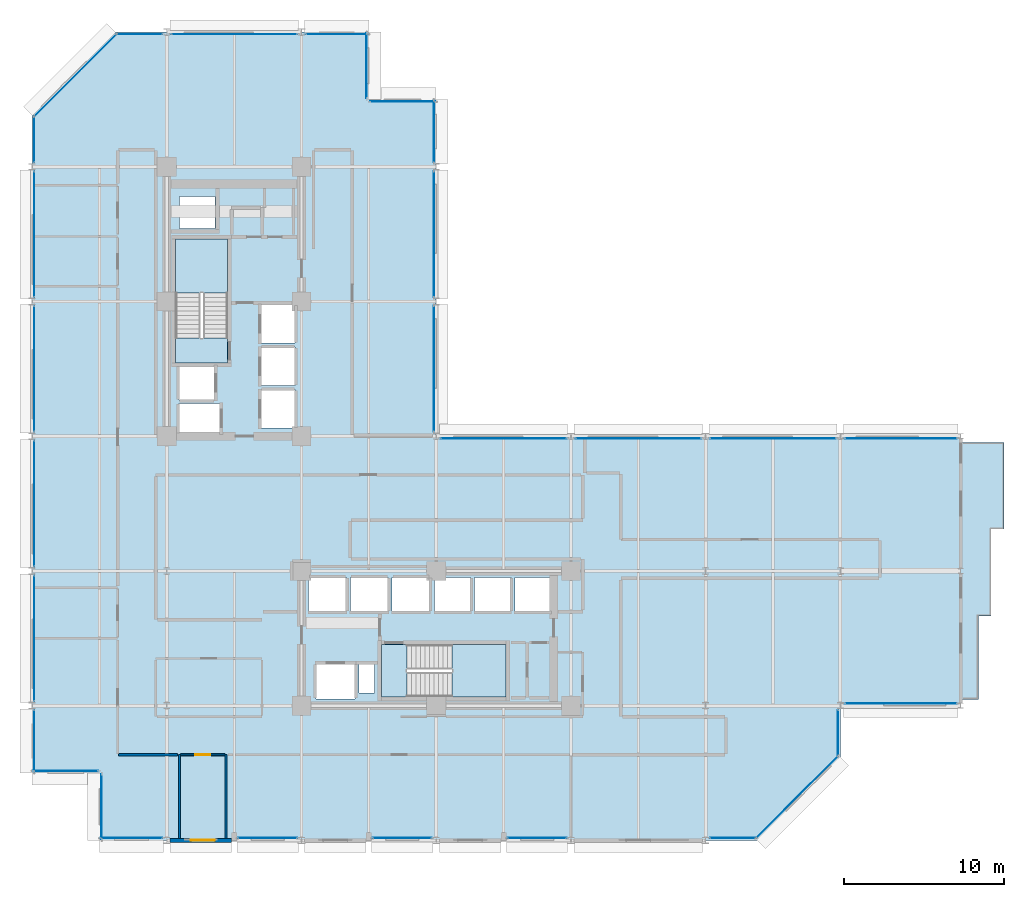
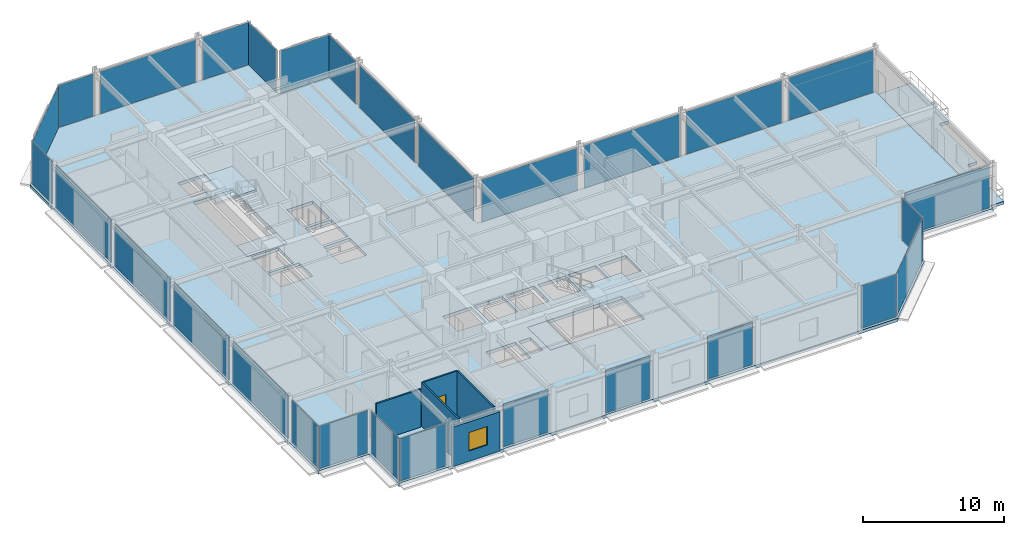
# One storey, part 31 of 39: 29 plates, 6 slabs, 5 walls, 1 door, 1 window, 2 openings, 31 elements without a shape of their own.
"""IFC4 building model written with IfcOpenShell, lengths in metres."""

from ifc_helpers import new_model, si_unit, direction, frame, frame_2d, origin, origin_2d, place, context, subcontext, project, spatial, polyline, rectangle, outline, extrude, material, layer, layer_set, type_object, element, fill, aggregate, save


model = new_model("IFC4")

# Units and contexts
model_context = context("Model", 3, precision=1e-05, world=origin(), true_north=direction((0.0, 1.0)))
body_context = subcontext(model_context, "Body", "Model", "MODEL_VIEW")
ifc_project = project(units=[si_unit("LENGTHUNIT", "METRE"), si_unit("AREAUNIT", "SQUARE_METRE"), si_unit("VOLUMEUNIT", "CUBIC_METRE"), si_unit("PLANEANGLEUNIT", "RADIAN"), si_unit("MASSUNIT", "GRAM", prefix="KILO")], contexts=[model_context])

# Site, building, storey
site_placement = place(None, origin())
site = spatial("IfcSite", under=ifc_project, at=site_placement, CompositionType="ELEMENT")
building_placement = place(site_placement, origin())
building = spatial("IfcBuilding", under=site, at=building_placement, Name="Nerrivon Quay Data Exchange", CompositionType="ELEMENT")
storey_placement = place(building_placement, frame((0.0, 0.0, 104.89990234375)))
storey = spatial("IfcBuildingStorey", under=building, at=storey_placement, Name="L24", CompositionType="ELEMENT", Elevation=104.89990234375)

# Curtain wall, plate
ifc_material_1 = material(Name="Anodised aluminium 6063-T6", Category="aluminium")
ifc_layer_1 = layer(ifc_material_1, 0.199951171875)
ifc_layer_set_1 = layer_set([ifc_layer_1], Name="Anodised aluminium 6063-T6")
curtain_wall_type_1 = type_object("IfcCurtainWallType", Name="CW-SYS-04", PredefinedType="NOTDEFINED", material=ifc_layer_set_1)
curtain_wall_1_placement = place(storey_placement, origin())
curtain_wall_1 = element("IfcCurtainWall", 1, at=curtain_wall_1_placement, inside=storey, type_object=curtain_wall_type_1, Name="L24 Unitised Curtain Wall 3", PredefinedType="NOTDEFINED")
ifc_material_2 = material(Name="Double-glazed low-E solar control glass", Category="glass")
ifc_layer_2 = layer(ifc_material_2, 0.028076171875)
ifc_layer_set_2 = layer_set([ifc_layer_2], Name="Double-glazed low-E solar control glass")
plate_type = type_object("IfcPlateType", Name="CWP-GLZ-28", PredefinedType="CURTAIN_PANEL", material=ifc_layer_set_2)
plate_1_placement = place(storey_placement, frame((54.17236328125, 8.5400390625, 0.06494140625), z_axis=(0.0, 0.0, 1.0), x_axis=(-1.0, 0.0, 0.0)))
plate_1 = element("IfcPlate", 2, at=plate_1_placement, type_object=plate_type, Name="CW04 panel 1.1", PredefinedType="CURTAIN_PANEL", context=body_context, shape_type="SweptSolid", body=[
    extrude(rectangle(XDim=6.994384765625, YDim=0.028076171875, at=origin_2d()), origin(), (0.0, 0.0, 1.0), 3.695068359375),
])
aggregate(curtain_wall_1, [plate_1])

ifc_layer_3 = layer(ifc_material_1, 0.2099609375)
ifc_layer_set_3 = layer_set([ifc_layer_3], Name="Anodised aluminium 6063-T6")
curtain_wall_type_2 = type_object("IfcCurtainWallType", Name="CW-SYS-02", PredefinedType="NOTDEFINED", material=ifc_layer_set_3)
curtain_wall_2_placement = place(storey_placement, origin())
curtain_wall_2 = element("IfcCurtainWall", 3, at=curtain_wall_2_placement, inside=storey, type_object=curtain_wall_type_2, Name="L24 Unitised Curtain Wall 4", PredefinedType="NOTDEFINED")
plate_2_placement = place(storey_placement, frame((50.260009765625, 6.699951171875, 0.06494140625), z_axis=(0.0, 0.0, 1.0), x_axis=(0.0, -1.0, 0.0)))
plate_2 = element("IfcPlate", 4, at=plate_2_placement, type_object=plate_type, Name="CW02 panel 1.1", PredefinedType="CURTAIN_PANEL", context=body_context, shape_type="SweptSolid", body=[
    extrude(rectangle(XDim=2.85009765625, YDim=0.028076171875, at=origin_2d()), origin(), (0.0, 0.0, 1.0), 3.695068359375),
])
aggregate(curtain_wall_2, [plate_2])

curtain_wall_3_placement = place(storey_placement, origin())
curtain_wall_3 = element("IfcCurtainWall", 5, at=curtain_wall_3_placement, inside=storey, type_object=curtain_wall_type_2, Name="L24 Unitised Curtain Wall 5", PredefinedType="NOTDEFINED")
plate_3_placement = place(storey_placement, frame((47.700927734375, 2.698974609375, 0.06494140625), z_axis=(0.0, 0.0, 1.0), x_axis=(-0.707106781187, -0.707106781187, 0.0)))
plate_3 = element("IfcPlate", 6, at=plate_3_placement, type_object=plate_type, Name="CW02 panel 1.1", PredefinedType="CURTAIN_PANEL", context=body_context, shape_type="SweptSolid", body=[
    extrude(rectangle(XDim=7.203857421875, YDim=0.028076171875, at=origin_2d()), origin(), (0.0, 0.0, 1.0), 3.695068359375),
])
aggregate(curtain_wall_3, [plate_3])

curtain_wall_4_placement = place(storey_placement, origin())
curtain_wall_4 = element("IfcCurtainWall", 7, at=curtain_wall_4_placement, inside=storey, type_object=curtain_wall_type_2, Name="L24 Unitised Curtain Wall 6", PredefinedType="NOTDEFINED")
plate_4_placement = place(storey_placement, frame((43.699951171875, 0.139892578125, 0.06494140625), z_axis=(0.0, 0.0, 1.0), x_axis=(-1.0, 0.0, 0.0)))
plate_4 = element("IfcPlate", 8, at=plate_4_placement, type_object=plate_type, Name="CW02 panel 1.1", PredefinedType="CURTAIN_PANEL", context=body_context, shape_type="SweptSolid", body=[
    extrude(rectangle(XDim=2.85009765625, YDim=0.028076171875, at=origin_2d()), origin(), (0.0, 0.0, 1.0), 3.695068359375),
])
aggregate(curtain_wall_4, [plate_4])

curtain_wall_5_placement = place(storey_placement, origin())
curtain_wall_5 = element("IfcCurtainWall", 9, at=curtain_wall_5_placement, inside=storey, type_object=curtain_wall_type_2, Name="L24 Unitised Curtain Wall 8", PredefinedType="NOTDEFINED")
plate_5_placement = place(storey_placement, frame((31.487548828125, 0.139892578125, 0.06494140625), z_axis=(0.0, 0.0, 1.0), x_axis=(-1.0, 0.0, 0.0)))
plate_5 = element("IfcPlate", 10, at=plate_5_placement, type_object=plate_type, Name="CW02 panel 1.1", PredefinedType="CURTAIN_PANEL", context=body_context, shape_type="SweptSolid", body=[
    extrude(rectangle(XDim=3.675048828125, YDim=0.028076171875, at=origin_2d()), origin(), (0.0, 0.0, 1.0), 3.695068359375),
])
aggregate(curtain_wall_5, [plate_5])

curtain_wall_6_placement = place(storey_placement, origin())
curtain_wall_6 = element("IfcCurtainWall", 11, at=curtain_wall_6_placement, inside=storey, type_object=curtain_wall_type_2, Name="L24 Unitised Curtain Wall 10", PredefinedType="NOTDEFINED")
plate_6_placement = place(storey_placement, frame((23.08740234375, 0.139892578125, 0.06494140625), z_axis=(0.0, 0.0, 1.0), x_axis=(-1.0, 0.0, 0.0)))
plate_6 = element("IfcPlate", 12, at=plate_6_placement, type_object=plate_type, Name="CW02 panel 1.1", PredefinedType="CURTAIN_PANEL", context=body_context, shape_type="SweptSolid", body=[
    extrude(rectangle(XDim=3.675048828125, YDim=0.028076171875, at=origin_2d()), origin(), (0.0, 0.0, 1.0), 3.695068359375),
])
aggregate(curtain_wall_6, [plate_6])

curtain_wall_7_placement = place(storey_placement, origin())
curtain_wall_7 = element("IfcCurtainWall", 13, at=curtain_wall_7_placement, inside=storey, type_object=curtain_wall_type_2, Name="L24 Unitised Curtain Wall 12", PredefinedType="NOTDEFINED")
plate_7_placement = place(storey_placement, frame((14.6875, 0.139892578125, 0.06494140625), z_axis=(0.0, 0.0, 1.0), x_axis=(-1.0, 0.0, 0.0)))
plate_7 = element("IfcPlate", 14, at=plate_7_placement, type_object=plate_type, Name="CW02 panel 1.1", PredefinedType="CURTAIN_PANEL", context=body_context, shape_type="SweptSolid", body=[
    extrude(rectangle(XDim=3.675048828125, YDim=0.028076171875, at=origin_2d()), origin(), (0.0, 0.0, 1.0), 3.695068359375),
])
aggregate(curtain_wall_7, [plate_7])

curtain_wall_8_placement = place(storey_placement, origin())
curtain_wall_8 = element("IfcCurtainWall", 15, at=curtain_wall_8_placement, inside=storey, type_object=curtain_wall_type_2, Name="L24 Unitised Curtain Wall 14", PredefinedType="NOTDEFINED")
plate_8_placement = place(storey_placement, frame((6.199951171875, 0.139892578125, 0.06494140625), z_axis=(0.0, 0.0, 1.0), x_axis=(-1.0, 0.0, 0.0)))
plate_8 = element("IfcPlate", 16, at=plate_8_placement, type_object=plate_type, Name="CW02 panel 1.1", PredefinedType="CURTAIN_PANEL", context=body_context, shape_type="SweptSolid", body=[
    extrude(rectangle(XDim=3.85009765625, YDim=0.028076171875, at=origin_2d()), origin(), (0.0, 0.0, 1.0), 3.695068359375),
])
aggregate(curtain_wall_8, [plate_8])

curtain_wall_9_placement = place(storey_placement, origin())
curtain_wall_9 = element("IfcCurtainWall", 17, at=curtain_wall_9_placement, inside=storey, type_object=curtain_wall_type_2, Name="L24 Unitised Curtain Wall 15", PredefinedType="NOTDEFINED")
plate_9_placement = place(storey_placement, frame((4.340087890625, 2.10009765625, 0.06494140625), z_axis=(0.0, 0.0, 1.0), x_axis=(0.0, 1.0, 0.0)))
plate_9 = element("IfcPlate", 18, at=plate_9_placement, type_object=plate_type, Name="CW02 panel 1.1", PredefinedType="CURTAIN_PANEL", context=body_context, shape_type="SweptSolid", body=[
    extrude(rectangle(XDim=4.050048828125, YDim=0.028076171875, at=origin_2d()), origin(), (0.0, 0.0, 1.0), 3.695068359375),
])
aggregate(curtain_wall_9, [plate_9])

curtain_wall_10_placement = place(storey_placement, origin())
curtain_wall_10 = element("IfcCurtainWall", 19, at=curtain_wall_10_placement, inside=storey, type_object=curtain_wall_type_2, Name="L24 Unitised Curtain Wall 16", PredefinedType="NOTDEFINED")
plate_10_placement = place(storey_placement, frame((2.10009765625, 4.340087890625, 0.06494140625), z_axis=(0.0, 0.0, 1.0), x_axis=(-1.0, 0.0, 0.0)))
plate_10 = element("IfcPlate", 20, at=plate_10_placement, type_object=plate_type, Name="CW02 panel 1.1", PredefinedType="CURTAIN_PANEL", context=body_context, shape_type="SweptSolid", body=[
    extrude(rectangle(XDim=4.050048828125, YDim=0.028076171875, at=origin_2d()), origin(), (0.0, 0.0, 1.0), 3.695068359375),
])
aggregate(curtain_wall_10, [plate_10])

curtain_wall_11_placement = place(storey_placement, origin())
curtain_wall_11 = element("IfcCurtainWall", 21, at=curtain_wall_11_placement, inside=storey, type_object=curtain_wall_type_2, Name="L24 Unitised Curtain Wall 17", PredefinedType="NOTDEFINED")
plate_11_placement = place(storey_placement, frame((0.139892578125, 6.199951171875, 0.06494140625), z_axis=(0.0, 0.0, 1.0), x_axis=(0.0, 1.0, 0.0)))
plate_11 = element("IfcPlate", 22, at=plate_11_placement, type_object=plate_type, Name="CW02 panel 1.1", PredefinedType="CURTAIN_PANEL", context=body_context, shape_type="SweptSolid", body=[
    extrude(rectangle(XDim=3.85009765625, YDim=0.028076171875, at=origin_2d()), origin(), (0.0, 0.0, 1.0), 3.695068359375),
])
aggregate(curtain_wall_11, [plate_11])

curtain_wall_12_placement = place(storey_placement, origin())
curtain_wall_12 = element("IfcCurtainWall", 23, at=curtain_wall_12_placement, inside=storey, type_object=curtain_wall_type_2, Name="L24 Unitised Curtain Wall 18", PredefinedType="NOTDEFINED")
plate_12_placement = place(storey_placement, frame((0.139892578125, 12.60009765625, 0.06494140625), z_axis=(0.0, 0.0, 1.0), x_axis=(0.0, 1.0, 0.0)))
plate_12 = element("IfcPlate", 24, at=plate_12_placement, type_object=plate_type, Name="CW02 panel 1.1", PredefinedType="CURTAIN_PANEL", context=body_context, shape_type="SweptSolid", body=[
    extrude(rectangle(XDim=7.85009765625, YDim=0.028076171875, at=origin_2d()), origin(), (0.0, 0.0, 1.0), 3.695068359375),
])
aggregate(curtain_wall_12, [plate_12])

curtain_wall_13_placement = place(storey_placement, origin())
curtain_wall_13 = element("IfcCurtainWall", 25, at=curtain_wall_13_placement, inside=storey, type_object=curtain_wall_type_2, Name="L24 Unitised Curtain Wall 19", PredefinedType="NOTDEFINED")
plate_13_placement = place(storey_placement, frame((0.139892578125, 21.0, 0.06494140625), z_axis=(0.0, 0.0, 1.0), x_axis=(0.0, 1.0, 0.0)))
plate_13 = element("IfcPlate", 26, at=plate_13_placement, type_object=plate_type, Name="CW02 panel 1.1", PredefinedType="CURTAIN_PANEL", context=body_context, shape_type="SweptSolid", body=[
    extrude(rectangle(XDim=7.85009765625, YDim=0.028076171875, at=origin_2d()), origin(), (0.0, 0.0, 1.0), 3.695068359375),
])
aggregate(curtain_wall_13, [plate_13])

curtain_wall_14_placement = place(storey_placement, origin())
curtain_wall_14 = element("IfcCurtainWall", 27, at=curtain_wall_14_placement, inside=storey, type_object=curtain_wall_type_2, Name="L24 Unitised Curtain Wall 20", PredefinedType="NOTDEFINED")
plate_14_placement = place(storey_placement, frame((0.139892578125, 29.39990234375, 0.06494140625), z_axis=(0.0, 0.0, 1.0), x_axis=(0.0, 1.0, 0.0)))
plate_14 = element("IfcPlate", 28, at=plate_14_placement, type_object=plate_type, Name="CW02 panel 1.1", PredefinedType="CURTAIN_PANEL", context=body_context, shape_type="SweptSolid", body=[
    extrude(rectangle(XDim=7.85009765625, YDim=0.028076171875, at=origin_2d()), origin(), (0.0, 0.0, 1.0), 3.695068359375),
])
aggregate(curtain_wall_14, [plate_14])

curtain_wall_15_placement = place(storey_placement, origin())
curtain_wall_15 = element("IfcCurtainWall", 29, at=curtain_wall_15_placement, inside=storey, type_object=curtain_wall_type_2, Name="L24 Unitised Curtain Wall 21", PredefinedType="NOTDEFINED")
plate_15_placement = place(storey_placement, frame((0.139892578125, 37.800048828125, 0.06494140625), z_axis=(0.0, 0.0, 1.0), x_axis=(0.0, 1.0, 0.0)))
plate_15 = element("IfcPlate", 30, at=plate_15_placement, type_object=plate_type, Name="CW02 panel 1.1", PredefinedType="CURTAIN_PANEL", context=body_context, shape_type="SweptSolid", body=[
    extrude(rectangle(XDim=7.85009765625, YDim=0.028076171875, at=origin_2d()), origin(), (0.0, 0.0, 1.0), 3.695068359375),
])
aggregate(curtain_wall_15, [plate_15])

curtain_wall_16_placement = place(storey_placement, origin())
curtain_wall_16 = element("IfcCurtainWall", 31, at=curtain_wall_16_placement, inside=storey, type_object=curtain_wall_type_2, Name="L24 Unitised Curtain Wall 22", PredefinedType="NOTDEFINED")
plate_16_placement = place(storey_placement, frame((0.139892578125, 43.699951171875, 0.06494140625), z_axis=(0.0, 0.0, 1.0), x_axis=(0.0, 1.0, 0.0)))
plate_16 = element("IfcPlate", 32, at=plate_16_placement, type_object=plate_type, Name="CW02 panel 1.1", PredefinedType="CURTAIN_PANEL", context=body_context, shape_type="SweptSolid", body=[
    extrude(rectangle(XDim=2.85009765625, YDim=0.028076171875, at=origin_2d()), origin(), (0.0, 0.0, 1.0), 3.695068359375),
])
aggregate(curtain_wall_16, [plate_16])

curtain_wall_17_placement = place(storey_placement, origin())
curtain_wall_17 = element("IfcCurtainWall", 33, at=curtain_wall_17_placement, inside=storey, type_object=curtain_wall_type_2, Name="L24 Unitised Curtain Wall 23", PredefinedType="NOTDEFINED")
plate_17_placement = place(storey_placement, frame((2.698974609375, 47.700927734375, 0.06494140625), z_axis=(0.0, 0.0, 1.0), x_axis=(0.707106781187, 0.707106781187, 0.0)))
plate_17 = element("IfcPlate", 34, at=plate_17_placement, type_object=plate_type, Name="CW02 panel 1.1", PredefinedType="CURTAIN_PANEL", context=body_context, shape_type="SweptSolid", body=[
    extrude(rectangle(XDim=7.203857421875, YDim=0.028076171875, at=origin_2d()), origin(), (0.0, 0.0, 1.0), 3.695068359375),
])
aggregate(curtain_wall_17, [plate_17])

curtain_wall_18_placement = place(storey_placement, origin())
curtain_wall_18 = element("IfcCurtainWall", 35, at=curtain_wall_18_placement, inside=storey, type_object=curtain_wall_type_2, Name="L24 Unitised Curtain Wall 24", PredefinedType="NOTDEFINED")
plate_18_placement = place(storey_placement, frame((6.699951171875, 50.260009765625, 0.06494140625), z_axis=(0.0, 0.0, 1.0), x_axis=(1.0, 0.0, 0.0)))
plate_18 = element("IfcPlate", 36, at=plate_18_placement, type_object=plate_type, Name="CW02 panel 1.1", PredefinedType="CURTAIN_PANEL", context=body_context, shape_type="SweptSolid", body=[
    extrude(rectangle(XDim=2.85009765625, YDim=0.028076171875, at=origin_2d()), origin(), (0.0, 0.0, 1.0), 3.695068359375),
])
aggregate(curtain_wall_18, [plate_18])

curtain_wall_19_placement = place(storey_placement, origin())
curtain_wall_19 = element("IfcCurtainWall", 37, at=curtain_wall_19_placement, inside=storey, type_object=curtain_wall_type_2, Name="L24 Unitised Curtain Wall 25", PredefinedType="NOTDEFINED")
plate_19_placement = place(storey_placement, frame((12.60009765625, 50.260009765625, 0.06494140625), z_axis=(0.0, 0.0, 1.0), x_axis=(1.0, 0.0, 0.0)))
plate_19 = element("IfcPlate", 38, at=plate_19_placement, type_object=plate_type, Name="CW02 panel 1.1", PredefinedType="CURTAIN_PANEL", context=body_context, shape_type="SweptSolid", body=[
    extrude(rectangle(XDim=7.85009765625, YDim=0.028076171875, at=origin_2d()), origin(), (0.0, 0.0, 1.0), 3.695068359375),
])
aggregate(curtain_wall_19, [plate_19])

curtain_wall_20_placement = place(storey_placement, origin())
curtain_wall_20 = element("IfcCurtainWall", 39, at=curtain_wall_20_placement, inside=storey, type_object=curtain_wall_type_2, Name="L24 Unitised Curtain Wall 26", PredefinedType="NOTDEFINED")
plate_20_placement = place(storey_placement, frame((19.0, 50.260009765625, 0.06494140625), z_axis=(0.0, 0.0, 1.0), x_axis=(1.0, 0.0, 0.0)))
plate_20 = element("IfcPlate", 40, at=plate_20_placement, type_object=plate_type, Name="CW02 panel 1.1", PredefinedType="CURTAIN_PANEL", context=body_context, shape_type="SweptSolid", body=[
    extrude(rectangle(XDim=3.85009765625, YDim=0.028076171875, at=origin_2d()), origin(), (0.0, 0.0, 1.0), 3.695068359375),
])
aggregate(curtain_wall_20, [plate_20])

curtain_wall_21_placement = place(storey_placement, origin())
curtain_wall_21 = element("IfcCurtainWall", 41, at=curtain_wall_21_placement, inside=storey, type_object=curtain_wall_type_2, Name="L24 Unitised Curtain Wall 27", PredefinedType="NOTDEFINED")
plate_21_placement = place(storey_placement, frame((20.860107421875, 48.300048828125, 0.06494140625), z_axis=(0.0, 0.0, 1.0), x_axis=(0.0, -1.0, 0.0)))
plate_21 = element("IfcPlate", 42, at=plate_21_placement, type_object=plate_type, Name="CW02 panel 1.1", PredefinedType="CURTAIN_PANEL", context=body_context, shape_type="SweptSolid", body=[
    extrude(rectangle(XDim=4.050048828125, YDim=0.028076171875, at=origin_2d()), origin(), (0.0, 0.0, 1.0), 3.695068359375),
])
aggregate(curtain_wall_21, [plate_21])

curtain_wall_22_placement = place(storey_placement, origin())
curtain_wall_22 = element("IfcCurtainWall", 43, at=curtain_wall_22_placement, inside=storey, type_object=curtain_wall_type_2, Name="L24 Unitised Curtain Wall 28", PredefinedType="NOTDEFINED")
plate_22_placement = place(storey_placement, frame((23.10009765625, 46.06005859375, 0.06494140625), z_axis=(0.0, 0.0, 1.0), x_axis=(1.0, 0.0, 0.0)))
plate_22 = element("IfcPlate", 44, at=plate_22_placement, type_object=plate_type, Name="CW02 panel 1.1", PredefinedType="CURTAIN_PANEL", context=body_context, shape_type="SweptSolid", body=[
    extrude(rectangle(XDim=4.050048828125, YDim=0.028076171875, at=origin_2d()), origin(), (0.0, 0.0, 1.0), 3.695068359375),
])
aggregate(curtain_wall_22, [plate_22])

curtain_wall_23_placement = place(storey_placement, origin())
curtain_wall_23 = element("IfcCurtainWall", 45, at=curtain_wall_23_placement, inside=storey, type_object=curtain_wall_type_2, Name="L24 Unitised Curtain Wall 29", PredefinedType="NOTDEFINED")
plate_23_placement = place(storey_placement, frame((25.06005859375, 44.199951171875, 0.06494140625), z_axis=(0.0, 0.0, 1.0), x_axis=(0.0, -1.0, 0.0)))
plate_23 = element("IfcPlate", 46, at=plate_23_placement, type_object=plate_type, Name="CW02 panel 1.1", PredefinedType="CURTAIN_PANEL", context=body_context, shape_type="SweptSolid", body=[
    extrude(rectangle(XDim=3.85009765625, YDim=0.028076171875, at=origin_2d()), origin(), (0.0, 0.0, 1.0), 3.695068359375),
])
aggregate(curtain_wall_23, [plate_23])

curtain_wall_24_placement = place(storey_placement, origin())
curtain_wall_24 = element("IfcCurtainWall", 47, at=curtain_wall_24_placement, inside=storey, type_object=curtain_wall_type_2, Name="L24 Unitised Curtain Wall 30", PredefinedType="NOTDEFINED")
plate_24_placement = place(storey_placement, frame((25.06005859375, 37.800048828125, 0.06494140625), z_axis=(0.0, 0.0, 1.0), x_axis=(0.0, -1.0, 0.0)))
plate_24 = element("IfcPlate", 48, at=plate_24_placement, type_object=plate_type, Name="CW02 panel 1.1", PredefinedType="CURTAIN_PANEL", context=body_context, shape_type="SweptSolid", body=[
    extrude(rectangle(XDim=7.85009765625, YDim=0.028076171875, at=origin_2d()), origin(), (0.0, 0.0, 1.0), 3.695068359375),
])
aggregate(curtain_wall_24, [plate_24])

curtain_wall_25_placement = place(storey_placement, origin())
curtain_wall_25 = element("IfcCurtainWall", 49, at=curtain_wall_25_placement, inside=storey, type_object=curtain_wall_type_2, Name="L24 Unitised Curtain Wall 31", PredefinedType="NOTDEFINED")
plate_25_placement = place(storey_placement, frame((25.06005859375, 29.39990234375, 0.06494140625), z_axis=(0.0, 0.0, 1.0), x_axis=(0.0, -1.0, 0.0)))
plate_25 = element("IfcPlate", 50, at=plate_25_placement, type_object=plate_type, Name="CW02 panel 1.1", PredefinedType="CURTAIN_PANEL", context=body_context, shape_type="SweptSolid", body=[
    extrude(rectangle(XDim=7.85009765625, YDim=0.028076171875, at=origin_2d()), origin(), (0.0, 0.0, 1.0), 3.695068359375),
])
aggregate(curtain_wall_25, [plate_25])

curtain_wall_26_placement = place(storey_placement, origin())
curtain_wall_26 = element("IfcCurtainWall", 51, at=curtain_wall_26_placement, inside=storey, type_object=curtain_wall_type_2, Name="L24 Unitised Curtain Wall 32", PredefinedType="NOTDEFINED")
plate_26_placement = place(storey_placement, frame((29.39990234375, 25.06005859375, 0.06494140625), z_axis=(0.0, 0.0, 1.0), x_axis=(1.0, 0.0, 0.0)))
plate_26 = element("IfcPlate", 52, at=plate_26_placement, type_object=plate_type, Name="CW02 panel 1.1", PredefinedType="CURTAIN_PANEL", context=body_context, shape_type="SweptSolid", body=[
    extrude(rectangle(XDim=7.85009765625, YDim=0.028076171875, at=origin_2d()), origin(), (0.0, 0.0, 1.0), 3.695068359375),
])
aggregate(curtain_wall_26, [plate_26])

curtain_wall_27_placement = place(storey_placement, origin())
curtain_wall_27 = element("IfcCurtainWall", 53, at=curtain_wall_27_placement, inside=storey, type_object=curtain_wall_type_2, Name="L24 Unitised Curtain Wall 33", PredefinedType="NOTDEFINED")
plate_27_placement = place(storey_placement, frame((37.800048828125, 25.06005859375, 0.06494140625), z_axis=(0.0, 0.0, 1.0), x_axis=(1.0, 0.0, 0.0)))
plate_27 = element("IfcPlate", 54, at=plate_27_placement, type_object=plate_type, Name="CW02 panel 1.1", PredefinedType="CURTAIN_PANEL", context=body_context, shape_type="SweptSolid", body=[
    extrude(rectangle(XDim=7.85009765625, YDim=0.028076171875, at=origin_2d()), origin(), (0.0, 0.0, 1.0), 3.695068359375),
])
aggregate(curtain_wall_27, [plate_27])

curtain_wall_28_placement = place(storey_placement, origin())
curtain_wall_28 = element("IfcCurtainWall", 55, at=curtain_wall_28_placement, inside=storey, type_object=curtain_wall_type_2, Name="L24 Unitised Curtain Wall 34", PredefinedType="NOTDEFINED")
plate_28_placement = place(storey_placement, frame((46.199951171875, 25.06005859375, 0.06494140625), z_axis=(0.0, 0.0, 1.0), x_axis=(1.0, 0.0, 0.0)))
plate_28 = element("IfcPlate", 56, at=plate_28_placement, type_object=plate_type, Name="CW02 panel 1.1", PredefinedType="CURTAIN_PANEL", context=body_context, shape_type="SweptSolid", body=[
    extrude(rectangle(XDim=7.85009765625, YDim=0.028076171875, at=origin_2d()), origin(), (0.0, 0.0, 1.0), 3.695068359375),
])
aggregate(curtain_wall_28, [plate_28])

curtain_wall_29_placement = place(storey_placement, origin())
curtain_wall_29 = element("IfcCurtainWall", 57, at=curtain_wall_29_placement, inside=storey, type_object=curtain_wall_type_1, Name="L24 Unitised Curtain Wall 35", PredefinedType="NOTDEFINED")
plate_29_placement = place(storey_placement, frame((54.17236328125, 25.06005859375, 0.06494140625), z_axis=(0.0, 0.0, 1.0), x_axis=(1.0, 0.0, 0.0)))
plate_29 = element("IfcPlate", 58, at=plate_29_placement, type_object=plate_type, Name="CW04 panel 1.1", PredefinedType="CURTAIN_PANEL", context=body_context, shape_type="SweptSolid", body=[
    extrude(rectangle(XDim=6.994384765625, YDim=0.028076171875, at=origin_2d()), origin(), (0.0, 0.0, 1.0), 3.695068359375),
])
aggregate(curtain_wall_29, [plate_29])

# Slab
ifc_material_3 = material(Name="Precast white architectural concrete N50 (50 MPa)", Category="concrete")
ifc_layer_4 = layer(ifc_material_3, 0.25)
ifc_layer_set_4 = layer_set([ifc_layer_4], Name="Precast white architectural concrete N50 (50 MPa)")
slab_type_1 = type_object("IfcSlabType", Name="SLB-BAL-250", PredefinedType="FLOOR", material=ifc_layer_set_4)
slab_1_placement = place(storey_placement, frame((0.0, 0.0, -0.25)))
element("IfcSlab", 59, at=slab_1_placement, inside=storey, type_object=slab_type_1, Name="L24 East Hooked Drifting Verandah", PredefinedType="FLOOR", context=body_context, shape_type="SweptSolid", body=[
    extrude(outline(polyline([(59.0, 14.0), (59.800048828125, 14.0), (59.800048828125, 19.39990234375), (60.60009765625, 19.39990234375), (60.60009765625, 24.800048828125), (57.89990234375, 24.800048828125), (57.89990234375, 19.39990234375), (57.89990234375, 14.0), (57.89990234375, 8.800048828125), (59.0, 8.800048828125), (59.0, 14.0)])), origin(), (0.0, 0.0, 1.0), 0.25),
])

# Stair, slab
ifc_material_4 = material(Name="Concrete N50 (50 MPa)", Category="concrete")
stair_type = type_object("IfcStairType", Name="STAIR-DOG-41", PredefinedType="HALF_TURN_STAIR", material=ifc_material_4)
stair_1_placement = place(storey_placement, origin())
stair_1 = element("IfcStair", 60, at=stair_1_placement, inside=storey, type_object=stair_type, Name="L24 West Core Fire Stair ST01", PredefinedType="HALF_TURN_STAIR")
ifc_layer_5 = layer(ifc_material_4, 0.199951171875)
ifc_layer_set_5 = layer_set([ifc_layer_5], Name="Concrete N50 (50 MPa)")
slab_type_2 = type_object("IfcSlabType", Name="SLB-LAND-200", PredefinedType="LANDING", material=ifc_layer_set_5)
slab_2_placement = place(storey_placement, frame((0.0, 0.0, 1.85009765625)))
slab_2 = element("IfcSlab", 61, at=slab_2_placement, type_object=slab_type_2, Name="ST01 landing 1", PredefinedType="LANDING", context=body_context, shape_type="SweptSolid", body=[
    extrude(outline(polyline([(12.199951171875, 34.1298828125), (12.199951171875, 37.5), (8.949951171875, 37.5), (8.949951171875, 34.1298828125), (12.199951171875, 34.1298828125)])), origin(), (0.0, 0.0, 1.0), 0.199951171875),
])
aggregate(stair_1, [slab_2])

# Slab
slab_3_placement = place(storey_placement, frame((0.0, 0.0, -0.199951171875)))
element("IfcSlab", 62, at=slab_3_placement, inside=storey, type_object=slab_type_2, Name="L24 ST01 floor landing", PredefinedType="LANDING", context=body_context, shape_type="SweptSolid", body=[
    extrude(outline(polyline([(12.199951171875, 29.75), (12.199951171875, 31.330078125), (8.949951171875, 31.330078125), (8.949951171875, 29.75), (12.199951171875, 29.75)])), origin(), (0.0, 0.0, 1.0), 0.199951171875),
])

# Stair, slab
stair_2_placement = place(storey_placement, origin())
stair_2 = element("IfcStair", 63, at=stair_2_placement, inside=storey, type_object=stair_type, Name="L24 East Core Fire Stair ST02", PredefinedType="HALF_TURN_STAIR")
slab_4_placement = place(storey_placement, frame((0.0, 0.0, 1.85009765625)))
slab_4 = element("IfcSlab", 64, at=slab_4_placement, type_object=slab_type_2, Name="ST02 landing 1", PredefinedType="LANDING", context=body_context, shape_type="SweptSolid", body=[
    extrude(outline(polyline([(26.179931640625, 8.949951171875), (29.550048828125, 8.949951171875), (29.550048828125, 12.199951171875), (26.179931640625, 12.199951171875), (26.179931640625, 8.949951171875)])), origin(), (0.0, 0.0, 1.0), 0.199951171875),
])
aggregate(stair_2, [slab_4])

# Slabs
slab_5_placement = place(storey_placement, frame((0.0, 0.0, -0.199951171875)))
element("IfcSlab", 65, at=slab_5_placement, inside=storey, type_object=slab_type_2, Name="L24 ST02 floor landing", PredefinedType="LANDING", context=body_context, shape_type="SweptSolid", body=[
    extrude(outline(polyline([(21.800048828125, 8.949951171875), (23.3798828125, 8.949951171875), (23.3798828125, 12.199951171875), (21.800048828125, 12.199951171875), (21.800048828125, 8.949951171875)])), origin(), (0.0, 0.0, 1.0), 0.199951171875),
])
ifc_layer_6 = layer(ifc_material_4, 0.27490234375)
ifc_layer_set_6 = layer_set([ifc_layer_6], Name="Concrete N50 (50 MPa)")
slab_type_3 = type_object("IfcSlabType", Name="SLB-TOW-275", PredefinedType="FLOOR", material=ifc_layer_set_6)
slab_6_placement = place(storey_placement, frame((0.0, 0.0, -0.27490234375)))
element("IfcSlab", 66, at=slab_6_placement, inside=storey, type_object=slab_type_3, Name="L24 Primary Structural Slab", PredefinedType="FLOOR", context=body_context, shape_type="SweptSolid", body=[
    extrude(outline(polyline([(25.199951171875, 25.199951171875), (25.199951171875, 46.199951171875), (21.0, 46.199951171875), (21.0, 50.39990234375), (5.199951171875, 50.39990234375), (0.0, 45.199951171875), (0.0, 4.199951171875), (4.199951171875, 4.199951171875), (4.199951171875, 0.0), (45.199951171875, 0.0), (50.39990234375, 5.199951171875), (50.39990234375, 8.39990234375), (57.89990234375, 8.39990234375), (57.89990234375, 25.199951171875), (25.199951171875, 25.199951171875)]), holes=[polyline([(8.949951171875, 29.75), (8.949951171875, 37.5), (12.199951171875, 37.5), (12.199951171875, 29.75), (8.949951171875, 29.75)]), polyline([(21.800048828125, 12.199951171875), (29.550048828125, 12.199951171875), (29.550048828125, 8.949951171875), (21.800048828125, 8.949951171875), (21.800048828125, 12.199951171875)]), polyline([(30.10009765625, 16.39990234375), (32.35009765625, 16.39990234375), (32.35009765625, 14.25), (30.10009765625, 14.25), (30.10009765625, 16.39990234375)]), polyline([(27.60009765625, 16.39990234375), (29.85009765625, 16.39990234375), (29.85009765625, 14.25), (27.60009765625, 14.25), (27.60009765625, 16.39990234375)]), polyline([(25.10009765625, 16.39990234375), (27.35009765625, 16.39990234375), (27.35009765625, 14.25), (25.10009765625, 14.25), (25.10009765625, 16.39990234375)]), polyline([(22.449951171875, 16.39990234375), (24.800048828125, 16.39990234375), (24.800048828125, 14.25), (22.449951171875, 14.25), (22.449951171875, 16.39990234375)]), polyline([(19.85009765625, 16.39990234375), (22.199951171875, 16.39990234375), (22.199951171875, 14.25), (19.85009765625, 14.25), (19.85009765625, 16.39990234375)]), polyline([(20.39990234375, 11.0), (21.35009765625, 11.0), (21.35009765625, 9.199951171875), (20.39990234375, 9.199951171875), (20.39990234375, 11.0)]), polyline([(17.699951171875, 8.830078125), (17.699951171875, 11.030029296875), (20.14990234375, 11.030029296875), (20.14990234375, 8.830078125), (17.699951171875, 8.830078125)]), polyline([(17.25, 14.25), (17.25, 16.39990234375), (19.60009765625, 16.39990234375), (19.60009765625, 14.25), (17.25, 14.25)]), polyline([(14.25, 28.10009765625), (16.39990234375, 28.10009765625), (16.39990234375, 25.699951171875), (14.25, 25.699951171875), (14.25, 28.10009765625)]), polyline([(14.25, 30.75), (16.39990234375, 30.75), (16.39990234375, 28.35009765625), (14.25, 28.35009765625), (14.25, 30.75)]), polyline([(14.25, 33.39990234375), (16.39990234375, 33.39990234375), (16.39990234375, 31.0), (14.25, 31.0), (14.25, 33.39990234375)]), polyline([(9.14990234375, 27.25), (11.75, 27.25), (11.75, 25.35009765625), (9.14990234375, 25.35009765625), (9.14990234375, 27.25)]), polyline([(9.14990234375, 29.60009765625), (11.39990234375, 29.60009765625), (11.39990234375, 27.449951171875), (9.14990234375, 27.449951171875), (9.14990234375, 29.60009765625)]), polyline([(9.199951171875, 40.14990234375), (11.39990234375, 40.14990234375), (11.39990234375, 38.14990234375), (9.199951171875, 38.14990234375), (9.199951171875, 40.14990234375)])]), origin(), (0.0, 0.0, 1.0), 0.27490234375),
])

# Wall, opening, window
ifc_material_5 = material(Name="Architectural terracotta precast concrete N50 (50 MPa)", Category="masonry")
ifc_layer_7 = layer(ifc_material_5, 0.239990234375)
ifc_layer_set_7 = layer_set([ifc_layer_7], Name="Architectural terracotta precast concrete N50 (50 MPa)")
wall_type_1 = type_object("IfcWallType", Name="EW-PREC-240", PredefinedType="STANDARD", material=ifc_layer_set_7)
wall_1_placement = place(storey_placement, frame((12.425048828125, 0.0, 0.0), z_axis=(0.0, 0.0, 1.0), x_axis=(-1.0, 0.0, 0.0)))
wall_1 = element("IfcWall", 67, at=wall_1_placement, inside=storey, type_object=wall_type_1, Name="L24 Podium Precast Spandrel Wall 13", PredefinedType="STANDARD", context=body_context, shape_type="SweptSolid", body=[
    extrude(rectangle(XDim=3.824951171875, YDim=0.239990234375, at=frame_2d((1.91259765625, 0.0))), origin(), (0.0, 0.0, 1.0), 3.422119140625),
])
opening_1_placement = place(wall_1_placement, frame((1.02490234375, 0.0, 0.89990234375)))
opening_1 = element("IfcOpeningElement", 68, at=opening_1_placement, cuts=wall_1, Name="Opening WN4", PredefinedType="OPENING", context=body_context, shape_type="SweptSolid", body=[
    extrude(rectangle(XDim=1.5, YDim=1.60009765625, at=frame_2d((0.75, 0.800048828125))), frame((0.0, 0.1298828125, 0.0), z_axis=(0.0, -1.0, 0.0), x_axis=(1.0, 0.0, 0.0)), (0.0, 0.0, 1.0), 0.260009765625),
])
window_type = type_object("IfcWindowType", Name="WIN-W4-1500x1600", PartitioningType="SINGLE_PANEL", PredefinedType="WINDOW", material=ifc_material_2)
window_placement = place(opening_1_placement, origin())
window = element("IfcWindow", 69, at=window_placement, inside=storey, type_object=window_type, Name="L24 Solar Facade Window 13", OverallHeight=1.60009765625, OverallWidth=1.5, PartitioningType="SINGLE_PANEL", PredefinedType="WINDOW", context=body_context, shape_type="SweptSolid", body=[
    extrude(rectangle(XDim=1.5, YDim=1.60009765625, at=frame_2d((0.75, 0.800048828125))), frame((0.0, 0.030029296875, 0.0), z_axis=(0.0, -1.0, 0.0), x_axis=(1.0, 0.0, 0.0)), (0.0, 0.0, 1.0), 0.06005859375),
])
fill(opening_1, window)

# Wall, opening, door
ifc_material_6 = material(Name="Gypsum plasterboard on cold-formed framing", Category="gypsum")
ifc_layer_8 = layer(ifc_material_6, 0.1201171875)
ifc_layer_set_8 = layer_set([ifc_layer_8], Name="Gypsum plasterboard on cold-formed framing")
wall_type_2 = type_object("IfcWallType", Name="WALL-PT-120", PredefinedType="PARTITIONING", material=ifc_layer_set_8)
wall_2_placement = place(storey_placement, frame((12.028564453125, 5.340087890625, 0.0), z_axis=(0.0, 0.0, 1.0), x_axis=(-1.0, 0.0, 0.0)))
wall_2 = element("IfcWall", 70, at=wall_2_placement, inside=storey, type_object=wall_type_2, Name="L24 Partition Accessible Unisex Toilet", PredefinedType="PARTITIONING", context=body_context, shape_type="SweptSolid", body=[
    extrude(rectangle(XDim=2.757080078125, YDim=0.1201171875, at=frame_2d((1.37841796875, 0.0))), origin(), (0.0, 0.0, 1.0), 3.8251953125),
])
opening_2_placement = place(wall_2_placement, frame((0.91845703125, 0.0, 0.0)))
opening_2 = element("IfcOpeningElement", 71, at=opening_2_placement, cuts=wall_2, Name="Opening D-WC", PredefinedType="OPENING", context=body_context, shape_type="SweptSolid", body=[
    extrude(rectangle(XDim=0.919921875, YDim=2.10009765625, at=frame_2d((0.4599609375, 1.050048828125))), frame((0.0, 0.070068359375, 0.0), z_axis=(0.0, -1.0, 0.0), x_axis=(1.0, 0.0, 0.0)), (0.0, 0.0, 1.0), 0.14013671875),
])
ifc_material_7 = material(Name="Engineered hardwood timber", Category="wood")
door_type = type_object("IfcDoorType", Name="DR-WC-920", OperationType="NOTDEFINED", PredefinedType="DOOR", material=ifc_material_7)
door_placement = place(opening_2_placement, origin())
door = element("IfcDoor", 72, at=door_placement, inside=storey, type_object=door_type, Name="L24 Door Accessible Unisex Toilet", OperationType="SINGLE_SWING_RIGHT", OverallHeight=2.10009765625, OverallWidth=0.919921875, PredefinedType="DOOR", context=body_context, shape_type="SweptSolid", body=[
    extrude(rectangle(XDim=0.919921875, YDim=2.10009765625, at=frame_2d((0.4599609375, 1.050048828125))), frame((0.0, 0.02490234375, 0.0), z_axis=(0.0, -1.0, 0.0), x_axis=(1.0, 0.0, 0.0)), (0.0, 0.0, 1.0), 0.050048828125),
])
fill(opening_2, door)

# Walls
ifc_layer_9 = layer(ifc_material_6, 0.135009765625)
ifc_layer_set_9 = layer_set([ifc_layer_9], Name="Gypsum plasterboard on cold-formed framing")
wall_type_3 = type_object("IfcWallType", Name="WALL-PT-135", PredefinedType="PARTITIONING", material=ifc_layer_set_9)
for number, where, z_axis, x_axis, name in (
    (73, (9.199951171875, 5.340087890625, 0.0), (0.0, 0.0, 1.0), (0.0, -1.0, 0.0), "L24 Partition Accessible Unisex Toilet"),
    (74, (12.10009765625, 0.1240234375, 0.0), (0.0, 0.0, 1.0), (0.0, 1.0, 0.0), "L24 Partition Accessible Unisex Toilet"),
):
    element("IfcWall", number, at=place(storey_placement, frame(where, z_axis=z_axis, x_axis=x_axis)), inside=storey, type_object=wall_type_3, Name=name, PredefinedType="PARTITIONING", context=body_context, shape_type="SweptSolid", body=[
        extrude(rectangle(XDim=5.216064453125, YDim=0.135009765625, at=frame_2d((2.60791015625, 0.0))), origin(), (0.0, 0.0, 1.0), 3.8251953125),
    ])
wall_3_placement = place(storey_placement, frame((9.080078125, 5.340087890625, 0.0), z_axis=(0.0, 0.0, 1.0), x_axis=(-1.0, 0.0, 0.0)))
element("IfcWall", 75, at=wall_3_placement, inside=storey, type_object=wall_type_3, Name="L24 Partition Cloud Compute Workspace 1", PredefinedType="PARTITIONING", context=body_context, shape_type="SweptSolid", body=[
    extrude(rectangle(XDim=3.68017578125, YDim=0.135009765625, at=frame_2d((1.840087890625, 0.0))), origin(), (0.0, 0.0, 1.0), 3.297119140625),
])

save(model, "model.ifc")
